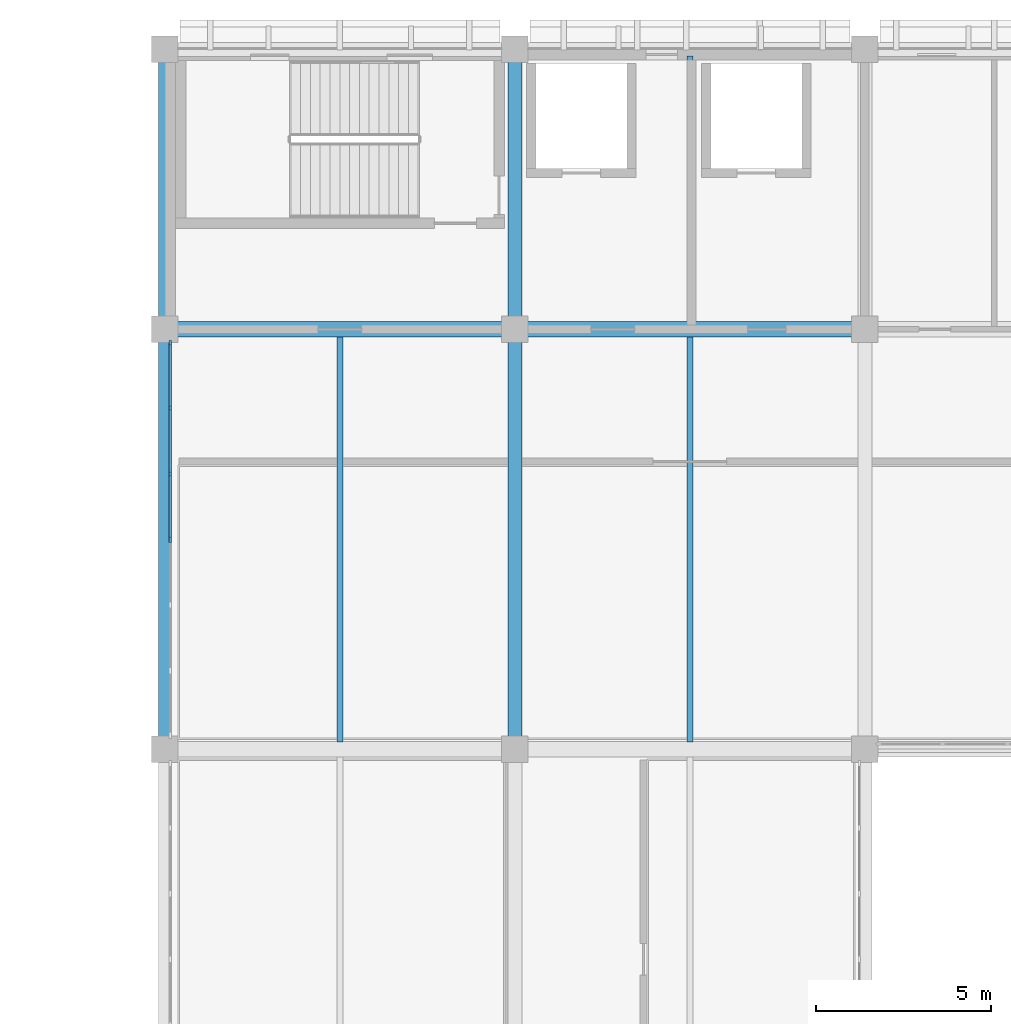
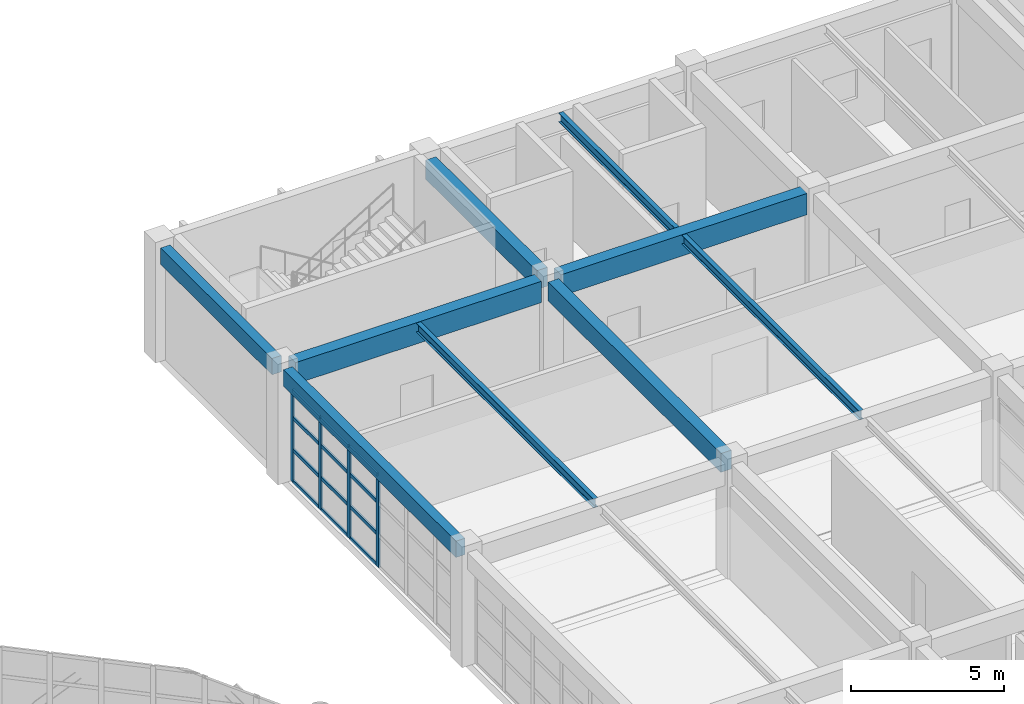
# One storey, part 47 of 109: 16 members, 9 beams, 1 element without a shape of its own.
"""IFC4 building model written with IfcOpenShell, lengths in metres."""

import ifcopenshell
import ifcopenshell.guid

model = None  # the IFC model being written
_history = None  # IfcOwnerHistory: only IFC2X3 demands one
_inside = {}  # id of a spatial element -> (the spatial element, [elements in it])
_under = {}  # id of a project, library or spatial element -> (it, [spatial elements below it])
_declared = {}  # id of a project -> (the project, [libraries it declares])
_typed = {}  # id of a type object -> (the type object, [elements of that type])
_made_of = {}  # id of a material, layer set ... -> (it, [elements and type objects made of it])


def new_model(schema):
    """Start an empty IFC model of exactly this schema.

    Asked for "IFC4X3", IfcOpenShell would pick the latest addendum, in which some entities
    have other attributes; the version numbers below select the first issue.
    IFC2X3 requires an IfcOwnerHistory on every rooted entity: one is made here for all.
    """
    global model, _history
    if schema == "IFC4X3":
        model = ifcopenshell.file(schema_version=(4, 3, 0, 0))
    else:
        model = ifcopenshell.file(schema=schema)
    _inside.clear()
    _under.clear()
    _declared.clear()
    _typed.clear()
    _made_of.clear()
    _history = None
    if model.schema == "IFC2X3":
        org = make("IfcOrganization", Name="unknown")
        user = make(
            "IfcPersonAndOrganization",
            ThePerson=make("IfcPerson", FamilyName="unknown"),
            TheOrganization=org,
        )
        app = make(
            "IfcApplication",
            ApplicationDeveloper=org,
            Version="unknown",
            ApplicationFullName="unknown",
            ApplicationIdentifier="unknown",
        )
        _history = make(
            "IfcOwnerHistory",
            OwningUser=user,
            OwningApplication=app,
            ChangeAction="ADDED",
            CreationDate=0,
        )
    return model


def make(cls, **values):
    """One entity of the class cls with the attributes given. An attribute that is None is left unset."""
    return model.create_entity(
        cls, **{name: value for name, value in values.items() if value is not None}
    )


def rooted(cls, **values):
    """An entity with a GlobalId (a new one), such as an element, a storey or a relation."""
    return make(cls, GlobalId=ifcopenshell.guid.new(), OwnerHistory=_history, **values)


def si_unit(unit_type, name, prefix=None):
    """IfcSIUnit, for example si_unit("LENGTHUNIT", "METRE", prefix="MILLI")."""
    return make("IfcSIUnit", UnitType=unit_type, Prefix=prefix, Name=name)


def assignment(units):
    """IfcUnitAssignment: the units of a project."""
    return None if units is None else make("IfcUnitAssignment", Units=units)


def point(xyz):
    """IfcCartesianPoint."""
    return None if xyz is None else make("IfcCartesianPoint", Coordinates=xyz)


def direction(xyz):
    """IfcDirection."""
    return None if xyz is None else make("IfcDirection", DirectionRatios=xyz)


def frame(location, z_axis=None, x_axis=None):
    """IfcAxis2Placement3D, a coordinate frame: its origin and axes. An axis left out is left unset."""
    return make(
        "IfcAxis2Placement3D",
        Location=point(location),
        Axis=direction(z_axis),
        RefDirection=direction(x_axis),
    )


def frame_2d(location, x_axis=None):
    """IfcAxis2Placement2D, a coordinate frame in the plane: its origin and x axis."""
    return make(
        "IfcAxis2Placement2D", Location=point(location), RefDirection=direction(x_axis)
    )


def origin():
    """The frame at (0, 0, 0) with its axes left unset."""
    return frame((0.0, 0.0, 0.0))


def origin_2d():
    """The frame at (0, 0) in the plane with its x axis left unset."""
    return frame_2d((0.0, 0.0))


def place(relative_to, where):
    """IfcLocalPlacement: puts the frame where relative to a parent placement (None: the world)."""
    return make(
        "IfcLocalPlacement", PlacementRelTo=relative_to, RelativePlacement=where
    )


def context(
    kind, dimensions, precision=None, world=None, true_north=None, identifier=None
):
    """IfcGeometricRepresentationContext, for example the 3D "Model" context."""
    return make(
        "IfcGeometricRepresentationContext",
        ContextIdentifier=identifier,
        ContextType=kind,
        CoordinateSpaceDimension=dimensions,
        Precision=precision,
        WorldCoordinateSystem=world,
        TrueNorth=true_north,
    )


def subcontext(parent, identifier, kind, view, scale=None):
    """IfcGeometricRepresentationSubContext, for example "Body" below "Model"."""
    return make(
        "IfcGeometricRepresentationSubContext",
        ContextIdentifier=identifier,
        ContextType=kind,
        ParentContext=parent,
        TargetScale=scale,
        TargetView=view,
    )


def project(units=None, contexts=None):
    """IfcProject with its units and contexts."""
    return rooted(
        "IfcProject",
        Name="project",
        RepresentationContexts=contexts,
        UnitsInContext=assignment(units),
    )


def spatial(cls, under=None, at=None, **own):
    """A site, building, storey or space (cls), placed at a placement, below another one or the project."""
    s = rooted(cls, ObjectPlacement=at, **own)
    if under is not None:
        _under.setdefault(under.id(), (under, []))[1].append(s)
    return s


def profile(cls, at=None, kind="AREA", **sizes):
    """A parametric profile (cls). Its sizes go by their IFC names, for example OverallWidth=200.0."""
    return make(cls, ProfileType=kind, Position=at, **sizes)


def rectangle(**sizes):
    """IfcRectangleProfileDef."""
    return profile("IfcRectangleProfileDef", **sizes)


def i_section(**sizes):
    """IfcIShapeProfileDef."""
    return profile("IfcIShapeProfileDef", **sizes)


def extrude(swept, where, along, depth):
    """IfcExtrudedAreaSolid: the profile swept, set in the frame where, extruded along a direction by depth."""
    return make(
        "IfcExtrudedAreaSolid",
        SweptArea=swept,
        Position=where,
        ExtrudedDirection=direction(along),
        Depth=depth,
    )


def shape(context_of_items, identifier, shape_type, items):
    """IfcShapeRepresentation: the items that make up one representation, for example the "Body"."""
    return make(
        "IfcShapeRepresentation",
        ContextOfItems=context_of_items,
        RepresentationIdentifier=identifier,
        RepresentationType=shape_type,
        Items=items,
    )


def material(Name=None, Category=None):
    """IfcMaterial."""
    return make("IfcMaterial", Name=Name, Category=Category)


def layer(
    of_material, thickness, ventilated=None, Name=None, Category=None, Priority=None
):
    """IfcMaterialLayer: one layer of a wall or slab, of a material (None: an air gap)."""
    return make(
        "IfcMaterialLayer",
        Material=of_material,
        LayerThickness=thickness,
        IsVentilated=ventilated,
        Name=Name,
        Category=Category,
        Priority=Priority,
    )


def layer_set(layers, Name=None):
    """IfcMaterialLayerSet."""
    return make("IfcMaterialLayerSet", MaterialLayers=layers, LayerSetName=Name)


def material_profile(
    of_material, cross_section, Name=None, Category=None, Priority=None
):
    """IfcMaterialProfile: a cross section and its material."""
    return make(
        "IfcMaterialProfile",
        Name=Name,
        Material=of_material,
        Profile=cross_section,
        Priority=Priority,
        Category=Category,
    )


def profile_set(profiles, Name=None, composite=None):
    """IfcMaterialProfileSet."""
    return make(
        "IfcMaterialProfileSet",
        Name=Name,
        MaterialProfiles=profiles,
        CompositeProfile=composite,
    )


def made_of(thing, what):
    """Note that an element or type object is made of a material, layer set ...; save() writes the relation."""
    if what is not None:
        _made_of.setdefault(what.id(), (what, []))[1].append(thing)
    return thing


def type_object(cls, material=None, **own):
    """A type object (cls), such as IfcWallType, which elements share."""
    return made_of(rooted(cls, **own), material)


def element(
    cls,
    number,
    at=None,
    inside=None,
    cuts=None,
    type_object=None,
    material=None,
    context=None,
    identifier="Body",
    shape_type=None,
    held_by="IfcProductDefinitionShape",
    body=None,
    shapes=None,
    **own,
):
    """One element of the class cls, such as IfcWall. Its Tag is "e" and its number.

    at: its placement. inside: the storey or other place that contains it. cuts: it is an
    opening in that element (IfcRelVoidsElement). A single representation is given by context,
    identifier, shape_type and body (its items); several are given by shapes. held_by: the class
    of the entity that holds the representations. save() writes the other relations.
    """
    e = rooted(cls, Tag="e%d" % number, ObjectPlacement=at, **own)
    if body is not None:
        shapes = [shape(context, identifier, shape_type, body)]
    if shapes is not None:
        e.Representation = make(held_by, Representations=shapes)
    if inside is not None:
        _inside.setdefault(inside.id(), (inside, []))[1].append(e)
    if cuts is not None:
        rooted(
            "IfcRelVoidsElement", RelatingBuildingElement=cuts, RelatedOpeningElement=e
        )
    if type_object is not None:
        _typed.setdefault(type_object.id(), (type_object, []))[1].append(e)
    return made_of(e, material)


def aggregate(whole, parts):
    """IfcRelAggregates: a whole, such as a stair, and the parts it consists of."""
    return rooted("IfcRelAggregates", RelatingObject=whole, RelatedObjects=parts)


def save(model, path):
    """Write the relations noted so far, then the file.

    IfcRelAggregates (storeys below a building ...), IfcRelContainedInSpatialStructure (elements
    in a storey), IfcRelDefinesByType, IfcRelAssociatesMaterial and IfcRelDeclares: one each for
    every whole, place, type object, material and project.
    """
    for whole, parts in _under.values():
        aggregate(whole, parts)
    for where, things in _inside.values():
        rooted(
            "IfcRelContainedInSpatialStructure",
            RelatedElements=things,
            RelatingStructure=where,
        )
    for kind, things in _typed.values():
        rooted("IfcRelDefinesByType", RelatedObjects=things, RelatingType=kind)
    for what, things in _made_of.values():
        rooted("IfcRelAssociatesMaterial", RelatedObjects=things, RelatingMaterial=what)
    for by, libraries in _declared.values():
        rooted("IfcRelDeclares", RelatingContext=by, RelatedDefinitions=libraries)
    model.write(path)


model = new_model("IFC4")

# Units and contexts
model_context = context("Model", 3, precision=1e-05, world=origin(), true_north=direction((0.0, 1.0)))
body_context = subcontext(model_context, "Body", "Model", "MODEL_VIEW")
ifc_project = project(units=[si_unit("LENGTHUNIT", "METRE"), si_unit("AREAUNIT", "SQUARE_METRE"), si_unit("VOLUMEUNIT", "CUBIC_METRE"), si_unit("PLANEANGLEUNIT", "RADIAN"), si_unit("MASSUNIT", "GRAM", prefix="KILO")], contexts=[model_context])

# Site, building, storey
site_placement = place(None, origin())
site = spatial("IfcSite", under=ifc_project, at=site_placement, CompositionType="ELEMENT")
building_placement = place(site_placement, origin())
building = spatial("IfcBuilding", under=site, at=building_placement, Name="Kivolera Central Railway Station", CompositionType="ELEMENT")
storey_placement = place(building_placement, frame((0.0, 0.0, 9.60009765625)))
storey = spatial("IfcBuildingStorey", under=building, at=storey_placement, Name="L02", CompositionType="ELEMENT", Elevation=9.60009765625)

# Beams
ifc_material_1 = material(Name="Steel S355", Category="steel")
ifc_material_profile_1 = material_profile(ifc_material_1, i_section(OverallWidth=0.169921875, OverallDepth=0.360107421875, WebThickness=0.008056640625, FlangeThickness=0.0126953125, FilletRadius=0.01806640625, at=origin_2d()), Name="IPE 360")
ifc_profile_set_1 = profile_set([ifc_material_profile_1], Name="Steel S355")
beam_type_1 = type_object("IfcBeamType", Name="BM-JST-IPE360", PredefinedType="JOIST", material=ifc_profile_set_1)
for number, where, z_axis, x_axis, name in (
    (1, (123.0, 114.217041015625, 4.327880859375), (0.0, 1.0, 0.0), (-1.0, 0.0, 0.0), "L02 Floor Joist 12-13/K-L"),
    (2, (133.0, 114.217041015625, 4.327880859375), (0.0, 1.0, 0.0), (-1.0, 0.0, 0.0), "L02 Floor Joist 13-14/K-L"),
):
    element("IfcBeam", number, at=place(storey_placement, frame(where, z_axis=z_axis, x_axis=x_axis)), inside=storey, type_object=beam_type_1, Name=name, PredefinedType="JOIST", context=body_context, shape_type="SweptSolid", body=[
        extrude(i_section(OverallWidth=0.169921875, OverallDepth=0.360107421875, WebThickness=0.008056640625, FlangeThickness=0.0126953125, FilletRadius=0.01806640625, at=origin_2d()), origin(), (0.0, 0.0, 1.0), 11.56591796875),
    ])
beam_1_placement = place(storey_placement, frame((133.0, 126.217041015625, 4.327880859375), z_axis=(0.0, 1.0, 0.0), x_axis=(-1.0, 0.0, 0.0)))
element("IfcBeam", 3, at=beam_1_placement, inside=storey, type_object=beam_type_1, Name="L02 Floor Joist 13-14/L-M", PredefinedType="JOIST", context=body_context, shape_type="SweptSolid", body=[
    extrude(i_section(OverallWidth=0.169921875, OverallDepth=0.360107421875, WebThickness=0.008056640625, FlangeThickness=0.0126953125, FilletRadius=0.01806640625, at=origin_2d()), origin(), (0.0, 0.0, 1.0), 7.591064453125),
])
ifc_material_2 = material(Name="Concrete C40/50", Category="concrete")
ifc_material_profile_2 = material_profile(ifc_material_2, rectangle(XDim=0.39990234375, YDim=0.75, at=origin_2d()), Name="RC 400x750")
ifc_profile_set_2 = profile_set([ifc_material_profile_2], Name="Concrete C40/50")
beam_type_2 = type_object("IfcBeamType", Name="BM-RC-400x750", PredefinedType="BEAM", material=ifc_profile_set_2)
beam_2_placement = place(storey_placement, frame((128.0, 114.366943359375, 4.14501953125), z_axis=(0.0, 1.0, 0.0), x_axis=(-1.0, 0.0, 0.0)))
element("IfcBeam", 4, at=beam_2_placement, inside=storey, type_object=beam_type_2, Name="L02 Wing Y-Beam 13:K-L", PredefinedType="BEAM", context=body_context, shape_type="SweptSolid", body=[
    extrude(rectangle(XDim=0.39990234375, YDim=0.75, at=origin_2d()), origin(), (0.0, 0.0, 1.0), 11.26611328125),
])
beam_3_placement = place(storey_placement, frame((128.0, 126.366943359375, 4.14501953125), z_axis=(0.0, 1.0, 0.0), x_axis=(-1.0, 0.0, 0.0)))
element("IfcBeam", 5, at=beam_3_placement, inside=storey, type_object=beam_type_2, Name="L02 Wing Y-Beam 13:L-M", PredefinedType="BEAM", context=body_context, shape_type="SweptSolid", body=[
    extrude(rectangle(XDim=0.39990234375, YDim=0.75, at=origin_2d()), origin(), (0.0, 0.0, 1.0), 7.26611328125),
])
ifc_material_profile_3 = material_profile(ifc_material_2, rectangle(XDim=0.449951171875, YDim=0.85009765625, at=origin_2d()), Name="RC 450x850")
ifc_profile_set_3 = profile_set([ifc_material_profile_3], Name="Concrete C40/50")
beam_type_3 = type_object("IfcBeamType", Name="BM-RC-450x850", PredefinedType="BEAM", material=ifc_profile_set_3)
for number, where, z_axis, x_axis, name in (
    (6, (118.366943359375, 126.0, 4.094970703125), (1.0, 0.0, 0.0), (0.0, 1.0, 0.0), "L02 Wing X-Beam L:12-13"),
    (7, (128.366943359375, 126.0, 4.094970703125), (1.0, 0.0, 0.0), (0.0, 1.0, 0.0), "L02 Wing X-Beam L:13-14"),
):
    element("IfcBeam", number, at=place(storey_placement, frame(where, z_axis=z_axis, x_axis=x_axis)), inside=storey, type_object=beam_type_3, Name=name, PredefinedType="BEAM", context=body_context, shape_type="SweptSolid", body=[
        extrude(rectangle(XDim=0.449951171875, YDim=0.85009765625, at=origin_2d()), origin(), (0.0, 0.0, 1.0), 9.26611328125),
    ])
ifc_material_profile_4 = material_profile(ifc_material_2, rectangle(XDim=0.35009765625, YDim=0.64990234375, at=origin_2d()), Name="RC 350x650")
ifc_profile_set_4 = profile_set([ifc_material_profile_4], Name="Concrete C40/50")
beam_type_4 = type_object("IfcBeamType", Name="BM-SPN-RC650", PredefinedType="SPANDREL", material=ifc_profile_set_4)
beam_4_placement = place(storey_placement, frame((118.0, 114.366943359375, 4.19482421875), z_axis=(0.0, 1.0, 0.0), x_axis=(-1.0, 0.0, 0.0)))
element("IfcBeam", 8, at=beam_4_placement, inside=storey, type_object=beam_type_4, Name="L02 Wing Y-Beam 12:K-L", PredefinedType="SPANDREL", context=body_context, shape_type="SweptSolid", body=[
    extrude(rectangle(XDim=0.35009765625, YDim=0.64990234375, at=origin_2d()), origin(), (0.0, 0.0, 1.0), 11.26611328125),
])
beam_5_placement = place(storey_placement, frame((118.0, 126.366943359375, 4.19482421875), z_axis=(0.0, 1.0, 0.0), x_axis=(-1.0, 0.0, 0.0)))
element("IfcBeam", 9, at=beam_5_placement, inside=storey, type_object=beam_type_4, Name="L02 Wing Y-Beam 12:L-M", PredefinedType="SPANDREL", context=body_context, shape_type="SweptSolid", body=[
    extrude(rectangle(XDim=0.35009765625, YDim=0.64990234375, at=origin_2d()), origin(), (0.0, 0.0, 1.0), 7.26611328125),
])

# Curtain wall, members
ifc_material_3 = material(Name="Anodised aluminium", Category="aluminium")
ifc_layer = layer(ifc_material_3, 0.179931640625, Name="Anodised aluminium")
ifc_layer_set = layer_set([ifc_layer], Name="Anodised aluminium")
curtain_wall_type = type_object("IfcCurtainWallType", Name="CW-SYS-28", PredefinedType="NOTDEFINED", material=ifc_layer_set)
curtain_wall_placement = place(storey_placement, origin())
curtain_wall = element("IfcCurtainWall", 10, at=curtain_wall_placement, inside=storey, type_object=curtain_wall_type, Name="L02 Curtain Wall CW-L02-WEST-K", PredefinedType="NOTDEFINED")
ifc_material_profile_5 = material_profile(ifc_material_3, rectangle(XDim=0.070068359375, YDim=0.179931640625, at=origin_2d()), Name="ALU MULL 70x180")
ifc_profile_set_5 = profile_set([ifc_material_profile_5], Name="Anodised aluminium")
member_type_1 = type_object("IfcMemberType", Name="CWM-MUL-1", PredefinedType="MULLION", material=ifc_profile_set_5)
member_1_placement = place(storey_placement, frame((118.153076171875, 120.0, -0.005126953125), z_axis=(0.0, 0.0, 1.0), x_axis=(-1.0, 0.0, 0.0)))
member_1 = element("IfcMember", 11, at=member_1_placement, type_object=member_type_1, Name="CW-28 mullion 4", PredefinedType="MULLION", context=body_context, shape_type="SweptSolid", body=[
    extrude(rectangle(XDim=0.070068359375, YDim=0.179931640625, at=origin_2d()), origin(), (0.0, 0.0, 1.0), 3.6630859375),
])
member_2_placement = place(storey_placement, frame((118.153076171875, 121.876708984375, -0.005126953125), z_axis=(0.0, 0.0, 1.0), x_axis=(-1.0, 0.0, 0.0)))
member_2 = element("IfcMember", 12, at=member_2_placement, type_object=member_type_1, Name="CW-28 mullion 5", PredefinedType="MULLION", context=body_context, shape_type="SweptSolid", body=[
    extrude(rectangle(XDim=0.070068359375, YDim=0.179931640625, at=origin_2d()), origin(), (0.0, 0.0, 1.0), 3.6630859375),
])
member_3_placement = place(storey_placement, frame((118.153076171875, 123.75341796875, -0.005126953125), z_axis=(0.0, 0.0, 1.0), x_axis=(-1.0, 0.0, 0.0)))
member_3 = element("IfcMember", 13, at=member_3_placement, type_object=member_type_1, Name="CW-28 mullion 6", PredefinedType="MULLION", context=body_context, shape_type="SweptSolid", body=[
    extrude(rectangle(XDim=0.070068359375, YDim=0.179931640625, at=origin_2d()), origin(), (0.0, 0.0, 1.0), 3.6630859375),
])
member_4_placement = place(storey_placement, frame((118.153076171875, 125.594970703125, -0.005126953125), z_axis=(0.0, 0.0, 1.0), x_axis=(-1.0, 0.0, 0.0)))
member_4 = element("IfcMember", 14, at=member_4_placement, type_object=member_type_1, Name="CW-28 mullion 7", PredefinedType="MULLION", context=body_context, shape_type="SweptSolid", body=[
    extrude(rectangle(XDim=0.070068359375, YDim=0.179931640625, at=origin_2d()), origin(), (0.0, 0.0, 1.0), 3.6630859375),
])
ifc_material_profile_6 = material_profile(ifc_material_3, rectangle(XDim=0.070068359375, YDim=0.139892578125, at=origin_2d()), Name="ALU TRAN 70x140")
ifc_profile_set_6 = profile_set([ifc_material_profile_6], Name="Anodised aluminium")
member_type_2 = type_object("IfcMemberType", Name="CWM-TRN-1", PredefinedType="USERDEFINED", material=ifc_profile_set_6)
member_5_placement = place(storey_placement, frame((118.153076171875, 120.034912109375, 0.034912109375), z_axis=(0.0, 1.0, 0.0), x_axis=(-1.0, 0.0, 0.0)))
member_5 = element("IfcMember", 15, at=member_5_placement, type_object=member_type_2, Name="CW-28 transom 4.1", ObjectType="TRANSOM", PredefinedType="USERDEFINED", context=body_context, shape_type="SweptSolid", body=[
    extrude(rectangle(XDim=0.070068359375, YDim=0.139892578125, at=origin_2d()), origin(), (0.0, 0.0, 1.0), 1.806640625),
])
member_6_placement = place(storey_placement, frame((118.153076171875, 120.034912109375, 1.2802734375), z_axis=(0.0, 1.0, 0.0), x_axis=(-1.0, 0.0, 0.0)))
member_6 = element("IfcMember", 16, at=member_6_placement, type_object=member_type_2, Name="CW-28 transom 4.2", ObjectType="TRANSOM", PredefinedType="USERDEFINED", context=body_context, shape_type="SweptSolid", body=[
    extrude(rectangle(XDim=0.070068359375, YDim=0.139892578125, at=origin_2d()), origin(), (0.0, 0.0, 1.0), 1.806640625),
])
member_7_placement = place(storey_placement, frame((118.153076171875, 120.034912109375, 2.560546875), z_axis=(0.0, 1.0, 0.0), x_axis=(-1.0, 0.0, 0.0)))
member_7 = element("IfcMember", 17, at=member_7_placement, type_object=member_type_2, Name="CW-28 transom 4.3", ObjectType="TRANSOM", PredefinedType="USERDEFINED", context=body_context, shape_type="SweptSolid", body=[
    extrude(rectangle(XDim=0.070068359375, YDim=0.139892578125, at=origin_2d()), origin(), (0.0, 0.0, 1.0), 1.806640625),
])
member_8_placement = place(storey_placement, frame((118.153076171875, 120.034912109375, 3.622802734375), z_axis=(0.0, 1.0, 0.0), x_axis=(-1.0, 0.0, 0.0)))
member_8 = element("IfcMember", 18, at=member_8_placement, type_object=member_type_2, Name="CW-28 transom 4.4", ObjectType="TRANSOM", PredefinedType="USERDEFINED", context=body_context, shape_type="SweptSolid", body=[
    extrude(rectangle(XDim=0.070068359375, YDim=0.139892578125, at=origin_2d()), origin(), (0.0, 0.0, 1.0), 1.806640625),
])
member_9_placement = place(storey_placement, frame((118.153076171875, 121.91162109375, 0.034912109375), z_axis=(0.0, 1.0, 0.0), x_axis=(-1.0, 0.0, 0.0)))
member_9 = element("IfcMember", 19, at=member_9_placement, type_object=member_type_2, Name="CW-28 transom 5.1", ObjectType="TRANSOM", PredefinedType="USERDEFINED", context=body_context, shape_type="SweptSolid", body=[
    extrude(rectangle(XDim=0.070068359375, YDim=0.139892578125, at=origin_2d()), origin(), (0.0, 0.0, 1.0), 1.806640625),
])
member_10_placement = place(storey_placement, frame((118.153076171875, 121.91162109375, 1.2802734375), z_axis=(0.0, 1.0, 0.0), x_axis=(-1.0, 0.0, 0.0)))
member_10 = element("IfcMember", 20, at=member_10_placement, type_object=member_type_2, Name="CW-28 transom 5.2", ObjectType="TRANSOM", PredefinedType="USERDEFINED", context=body_context, shape_type="SweptSolid", body=[
    extrude(rectangle(XDim=0.070068359375, YDim=0.139892578125, at=origin_2d()), origin(), (0.0, 0.0, 1.0), 1.806640625),
])
member_11_placement = place(storey_placement, frame((118.153076171875, 121.91162109375, 2.560546875), z_axis=(0.0, 1.0, 0.0), x_axis=(-1.0, 0.0, 0.0)))
member_11 = element("IfcMember", 21, at=member_11_placement, type_object=member_type_2, Name="CW-28 transom 5.3", ObjectType="TRANSOM", PredefinedType="USERDEFINED", context=body_context, shape_type="SweptSolid", body=[
    extrude(rectangle(XDim=0.070068359375, YDim=0.139892578125, at=origin_2d()), origin(), (0.0, 0.0, 1.0), 1.806640625),
])
member_12_placement = place(storey_placement, frame((118.153076171875, 121.91162109375, 3.622802734375), z_axis=(0.0, 1.0, 0.0), x_axis=(-1.0, 0.0, 0.0)))
member_12 = element("IfcMember", 22, at=member_12_placement, type_object=member_type_2, Name="CW-28 transom 5.4", ObjectType="TRANSOM", PredefinedType="USERDEFINED", context=body_context, shape_type="SweptSolid", body=[
    extrude(rectangle(XDim=0.070068359375, YDim=0.139892578125, at=origin_2d()), origin(), (0.0, 0.0, 1.0), 1.806640625),
])
member_13_placement = place(storey_placement, frame((118.153076171875, 123.788330078125, 0.034912109375), z_axis=(0.0, 1.0, 0.0), x_axis=(-1.0, 0.0, 0.0)))
member_13 = element("IfcMember", 23, at=member_13_placement, type_object=member_type_2, Name="CW-28 transom 6.1", ObjectType="TRANSOM", PredefinedType="USERDEFINED", context=body_context, shape_type="SweptSolid", body=[
    extrude(rectangle(XDim=0.070068359375, YDim=0.139892578125, at=origin_2d()), origin(), (0.0, 0.0, 1.0), 1.771728515625),
])
member_14_placement = place(storey_placement, frame((118.153076171875, 123.788330078125, 1.2802734375), z_axis=(0.0, 1.0, 0.0), x_axis=(-1.0, 0.0, 0.0)))
member_14 = element("IfcMember", 24, at=member_14_placement, type_object=member_type_2, Name="CW-28 transom 6.2", ObjectType="TRANSOM", PredefinedType="USERDEFINED", context=body_context, shape_type="SweptSolid", body=[
    extrude(rectangle(XDim=0.070068359375, YDim=0.139892578125, at=origin_2d()), origin(), (0.0, 0.0, 1.0), 1.771728515625),
])
member_15_placement = place(storey_placement, frame((118.153076171875, 123.788330078125, 2.560546875), z_axis=(0.0, 1.0, 0.0), x_axis=(-1.0, 0.0, 0.0)))
member_15 = element("IfcMember", 25, at=member_15_placement, type_object=member_type_2, Name="CW-28 transom 6.3", ObjectType="TRANSOM", PredefinedType="USERDEFINED", context=body_context, shape_type="SweptSolid", body=[
    extrude(rectangle(XDim=0.070068359375, YDim=0.139892578125, at=origin_2d()), origin(), (0.0, 0.0, 1.0), 1.771728515625),
])
member_16_placement = place(storey_placement, frame((118.153076171875, 123.788330078125, 3.622802734375), z_axis=(0.0, 1.0, 0.0), x_axis=(-1.0, 0.0, 0.0)))
member_16 = element("IfcMember", 26, at=member_16_placement, type_object=member_type_2, Name="CW-28 transom 6.4", ObjectType="TRANSOM", PredefinedType="USERDEFINED", context=body_context, shape_type="SweptSolid", body=[
    extrude(rectangle(XDim=0.070068359375, YDim=0.139892578125, at=origin_2d()), origin(), (0.0, 0.0, 1.0), 1.771728515625),
])
aggregate(curtain_wall, [member_1, member_2, member_3, member_4, member_5, member_6, member_7, member_8, member_9, member_10, member_11, member_12, member_13, member_14, member_15, member_16])

save(model, "model.ifc")
